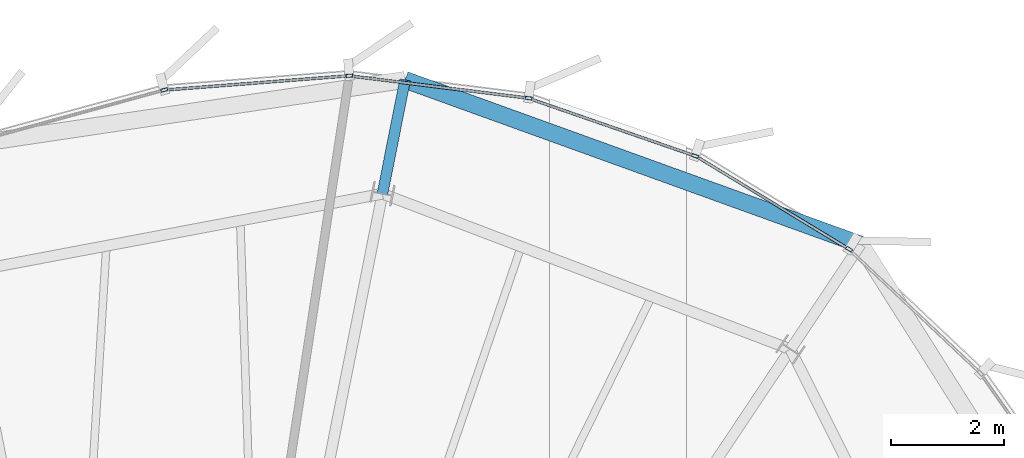
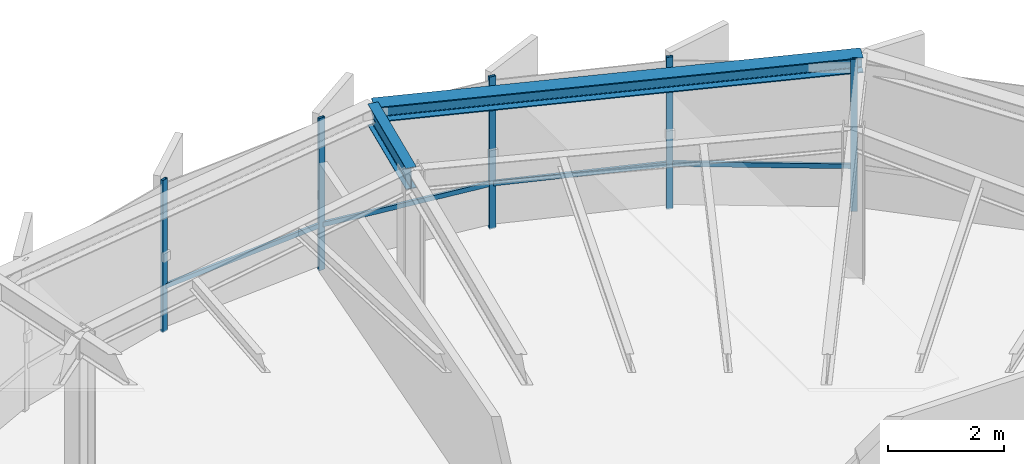
# One storey, part 21 of 30: 9 members, 2 beams, 2 elements without a shape of their own.
"""IFC4 building model written with IfcOpenShell, lengths in metres."""

from ifc_helpers import new_model, si_unit, direction, frame, origin, origin_2d, place, context, subcontext, project, spatial, hollow_rectangle, i_section, extrude, source, transform, mapped, material, layer, layer_set, material_profile, profile_set, type_object, element, aggregate, save


model = new_model("IFC4")

# Units and contexts
model_context = context("Model", 3, precision=1e-05, world=origin(), true_north=direction((0.0, 1.0)))
body_context = subcontext(model_context, "Body", "Model", "MODEL_VIEW")
ifc_project = project(units=[si_unit("LENGTHUNIT", "METRE"), si_unit("AREAUNIT", "SQUARE_METRE"), si_unit("VOLUMEUNIT", "CUBIC_METRE"), si_unit("PLANEANGLEUNIT", "RADIAN"), si_unit("MASSUNIT", "GRAM", prefix="KILO"), si_unit("THERMODYNAMICTEMPERATUREUNIT", "KELVIN")], contexts=[model_context])

# Site, building, storey
site_placement = place(None, origin())
site = spatial("IfcSite", under=ifc_project, at=site_placement, CompositionType="ELEMENT")
building_placement = place(site_placement, origin())
building = spatial("IfcBuilding", under=site, at=building_placement, Name="Kethvar Cultural Tower", CompositionType="ELEMENT")
storey_placement = place(building_placement, frame((0.0, 0.0, 293.949951171875)))
storey = spatial("IfcBuildingStorey", under=building, at=storey_placement, Name="L78", CompositionType="ELEMENT", Elevation=293.949951171875)

# Beams
ifc_material_1 = material(Name="Steel S355J2", Category="steel")
ifc_material_profile_1 = material_profile(ifc_material_1, i_section(OverallWidth=0.18994140625, OverallDepth=0.449951171875, WebThickness=0.009521484375, FlangeThickness=0.0146484375, FilletRadius=0.02099609375, at=origin_2d()), Name="Steel S355J2 — IPE450")
ifc_profile_set_1 = profile_set([ifc_material_profile_1], Name="Steel S355J2 — IPE450")
beam_type_1 = type_object("IfcBeamType", Name="BM-IPE450", PredefinedType="BEAM", material=ifc_profile_set_1)
shared_shape_1 = source(origin(), body_context, "Body", "SweptSolid", [
    extrude(i_section(OverallWidth=0.18994140625, OverallDepth=0.449951171875, WebThickness=0.009521484375, FlangeThickness=0.0146484375, FilletRadius=0.02099609375, at=origin_2d()), origin(), (0.0, 0.0, 1.0), 2.056884765625),
])
beam_1_placement = place(storey_placement, frame((50.645263671875, 47.131591796875, 2.983154296875), z_axis=(0.195134520844, 0.980776487674, 0.0), x_axis=(-0.980776487674, 0.195134520844, 0.0)))
element("IfcBeam", 1, at=beam_1_placement, inside=storey, type_object=beam_type_1, Name="L78 Perimeter Cantilever Beam RC-04", PredefinedType="BEAM", context=body_context, shape_type="MappedRepresentation", body=[
    mapped(shared_shape_1, transform((0.0, 0.0, 0.0), scale=1.0)),
])
ifc_material_profile_2 = material_profile(ifc_material_1, i_section(OverallWidth=0.300048828125, OverallDepth=0.320068359375, WebThickness=0.011474609375, FlangeThickness=0.0205078125, FilletRadius=0.027099609375, at=origin_2d()), Name="Steel S355J2 — HEB320")
ifc_profile_set_2 = profile_set([ifc_material_profile_2], Name="Steel S355J2 — HEB320")
beam_type_2 = type_object("IfcBeamType", Name="BM-SP320", PredefinedType="SPANDREL", material=ifc_profile_set_2)
shared_shape_2 = source(origin(), body_context, "Body", "SweptSolid", [
    extrude(i_section(OverallWidth=0.300048828125, OverallDepth=0.320068359375, WebThickness=0.011474609375, FlangeThickness=0.0205078125, FilletRadius=0.027099609375, at=origin_2d()), origin(), (0.0, 0.0, 1.0), 8.580810546875),
])
beam_2_placement = place(storey_placement, frame((59.11669921875, 46.23291015625, 3.048095703125), z_axis=(-0.940485964721, 0.339832532525, 0.0), x_axis=(-0.339832532525, -0.940485964721, 0.0)))
element("IfcBeam", 2, at=beam_2_placement, inside=storey, type_object=beam_type_2, Name="L78 Perimeter Spandrel Beam SP-03", PredefinedType="SPANDREL", context=body_context, shape_type="MappedRepresentation", body=[
    mapped(shared_shape_2, transform((0.0, 0.0, 0.0), scale=1.0)),
])

# Curtain wall, members
ifc_material_2 = material(Name="Aluminium 6063-T6", Category="aluminium")
ifc_layer = layer(ifc_material_2, 0.179931640625, Name="Aluminium 6063-T6", Category="aluminium")
ifc_layer_set = layer_set([ifc_layer], Name="Aluminium 6063-T6 (180 mm)")
curtain_wall_type = type_object("IfcCurtainWallType", Name="CW-SYS-05-Z56", PredefinedType="NOTDEFINED", material=ifc_layer_set)
curtain_wall_1_placement = place(storey_placement, origin())
curtain_wall_1 = element("IfcCurtainWall", 3, at=curtain_wall_1_placement, inside=storey, type_object=curtain_wall_type, Name="L78 Curtain Wall Run 01", PredefinedType="NOTDEFINED")
ifc_material_profile_3 = material_profile(ifc_material_2, hollow_rectangle(XDim=0.054931640625, YDim=0.1201171875, WallThickness=0.00390625, at=origin_2d()), Name="Aluminium 6063-T6 — RHS120x55x4")
ifc_profile_set_3 = profile_set([ifc_material_profile_3], Name="Aluminium 6063-T6 — RHS120x55x4")
member_type_1 = type_object("IfcMemberType", Name="CW-SYS-05-Z56-MUL", PredefinedType="MULLION", material=ifc_profile_set_3)
shared_shape_3 = source(origin(), body_context, "Body", "SweptSolid", [
    extrude(hollow_rectangle(XDim=0.054931640625, YDim=0.1201171875, WallThickness=0.00390625, at=origin_2d()), origin(), (0.0, 0.0, 1.0), 3.2099609375),
])
member_1_placement = place(storey_placement, frame((56.18408203125, 47.800537109375, 0.0), z_axis=(0.0, 0.0, 1.0), x_axis=(-0.327349835547, -0.944903214709, 0.0)))
member_1 = element("IfcMember", 4, at=member_1_placement, type_object=member_type_1, Name="CW-L78-R01 Mullion 1", PredefinedType="MULLION", context=body_context, shape_type="MappedRepresentation", body=[
    mapped(shared_shape_3, transform((0.0, 0.0, 0.0), scale=1.0)),
])
member_2_placement = place(storey_placement, frame((53.235595703125, 48.82421875, 0.0), z_axis=(0.0, 0.0, 1.0), x_axis=(-0.12360147674, -0.992331937885, 0.0)))
member_2 = element("IfcMember", 5, at=member_2_placement, type_object=member_type_1, Name="CW-L78-R01 Mullion 2", PredefinedType="MULLION", context=body_context, shape_type="MappedRepresentation", body=[
    mapped(shared_shape_3, transform((0.0, 0.0, 0.0), scale=1.0)),
])
member_3_placement = place(storey_placement, frame((50.057373046875, 49.22216796875, 0.0), z_axis=(0.0, 0.0, 1.0), x_axis=(0.07729327653, -0.997008399866, 0.0)))
member_3 = element("IfcMember", 6, at=member_3_placement, type_object=member_type_1, Name="CW-L78-R01 Mullion 3", PredefinedType="MULLION", context=body_context, shape_type="MappedRepresentation", body=[
    mapped(shared_shape_3, transform((0.0, 0.0, 0.0), scale=1.0)),
])
member_4_placement = place(storey_placement, frame((46.77880859375, 48.9697265625, 0.0), z_axis=(0.0, 0.0, 1.0), x_axis=(0.26390671921, -0.964548206963, 0.0)))
member_4 = element("IfcMember", 7, at=member_4_placement, type_object=member_type_1, Name="CW-L78-R01 Mullion 4", PredefinedType="MULLION", context=body_context, shape_type="MappedRepresentation", body=[
    mapped(shared_shape_3, transform((0.0, 0.0, 0.0), scale=1.0)),
])

# Curtain wall, member
curtain_wall_2_placement = place(storey_placement, origin())
curtain_wall_2 = element("IfcCurtainWall", 8, at=curtain_wall_2_placement, inside=storey, type_object=curtain_wall_type, Name="L78 Curtain Wall Run 07", PredefinedType="NOTDEFINED")
member_5_placement = place(storey_placement, frame((58.913818359375, 46.1474609375, 0.0), z_axis=(0.0, 0.0, 1.0), x_axis=(-0.519399801856, -0.854531360356, 0.0)))
member_5 = element("IfcMember", 9, at=member_5_placement, type_object=member_type_1, Name="CW-L78-R07 Mullion 4", PredefinedType="MULLION", context=body_context, shape_type="MappedRepresentation", body=[
    mapped(shared_shape_3, transform((0.0, 0.0, 0.0), scale=1.0)),
])

# Member
ifc_material_profile_4 = material_profile(ifc_material_2, hollow_rectangle(XDim=0.050048828125, YDim=0.10009765625, WallThickness=0.00390625, at=origin_2d()), Name="Aluminium 6063-T6 — RHS100x50x4")
ifc_profile_set_4 = profile_set([ifc_material_profile_4], Name="Aluminium 6063-T6 — RHS100x50x4")
member_type_2 = type_object("IfcMemberType", Name="CW-SYS-05-Z56-TRN", PredefinedType="USERDEFINED", material=ifc_profile_set_4)
shared_shape_4 = source(origin(), body_context, "Body", "SweptSolid", [
    extrude(hollow_rectangle(XDim=0.050048828125, YDim=0.10009765625, WallThickness=0.00390625, at=origin_2d()), origin(), (0.0, 0.0, 1.0), 3.098388671875),
])
member_6_placement = place(storey_placement, frame((56.180419921875, 47.8017578125, 0.949951171875), z_axis=(-0.944914854125, 0.32731623616, 0.0), x_axis=(-0.32731623616, -0.944914854125, 0.0)))
member_6 = element("IfcMember", 10, at=member_6_placement, type_object=member_type_2, Name="CW-L78-R01 Transom 1", ObjectType="TRANSOM", PredefinedType="USERDEFINED", context=body_context, shape_type="MappedRepresentation", body=[
    mapped(shared_shape_4, transform((0.0, 0.0, 0.0), scale=1.0)),
])

shared_shape_5 = source(origin(), body_context, "Body", "SweptSolid", [
    extrude(hollow_rectangle(XDim=0.050048828125, YDim=0.10009765625, WallThickness=0.00390625, at=origin_2d()), origin(), (0.0, 0.0, 1.0), 3.14404296875),
])
member_7_placement = place(storey_placement, frame((53.1962890625, 48.8291015625, 0.949951171875), z_axis=(-0.992329162133, 0.123623759771, 0.0), x_axis=(-0.123623759771, -0.992329162133, 0.0)))
member_7 = element("IfcMember", 11, at=member_7_placement, type_object=member_type_2, Name="CW-L78-R01 Transom 2", ObjectType="TRANSOM", PredefinedType="USERDEFINED", context=body_context, shape_type="MappedRepresentation", body=[
    mapped(shared_shape_5, transform((0.0, 0.0, 0.0), scale=1.0)),
])

shared_shape_6 = source(origin(), body_context, "Body", "SweptSolid", [
    extrude(hollow_rectangle(XDim=0.050048828125, YDim=0.10009765625, WallThickness=0.00390625, at=origin_2d()), origin(), (0.0, 0.0, 1.0), 3.2275390625),
])
member_8_placement = place(storey_placement, frame((50.017822265625, 49.218994140625, 0.949951171875), z_axis=(-0.997013408797, -0.077228638979, 0.0), x_axis=(0.077228638979, -0.997013408797, 0.0)))
member_8 = element("IfcMember", 12, at=member_8_placement, type_object=member_type_2, Name="CW-L78-R01 Transom 3", ObjectType="TRANSOM", PredefinedType="USERDEFINED", context=body_context, shape_type="MappedRepresentation", body=[
    mapped(shared_shape_6, transform((0.0, 0.0, 0.0), scale=1.0)),
])

aggregate(curtain_wall_1, [member_1, member_2, member_3, member_4, member_6, member_7, member_8])

shared_shape_7 = source(origin(), body_context, "Body", "SweptSolid", [
    extrude(hollow_rectangle(XDim=0.050048828125, YDim=0.10009765625, WallThickness=0.00390625, at=origin_2d()), origin(), (0.0, 0.0, 1.0), 3.09814453125),
])
member_9_placement = place(storey_placement, frame((58.8798828125, 46.16796875, 0.949951171875), z_axis=(-0.854502738742, 0.519446888029, 0.0), x_axis=(-0.519446888029, -0.854502738742, 0.0)))
member_9 = element("IfcMember", 13, at=member_9_placement, type_object=member_type_2, Name="CW-L78-R07 Transom 4", ObjectType="TRANSOM", PredefinedType="USERDEFINED", context=body_context, shape_type="MappedRepresentation", body=[
    mapped(shared_shape_7, transform((0.0, 0.0, 0.0), scale=1.0)),
])

aggregate(curtain_wall_2, [member_5, member_9])

save(model, "model.ifc")
